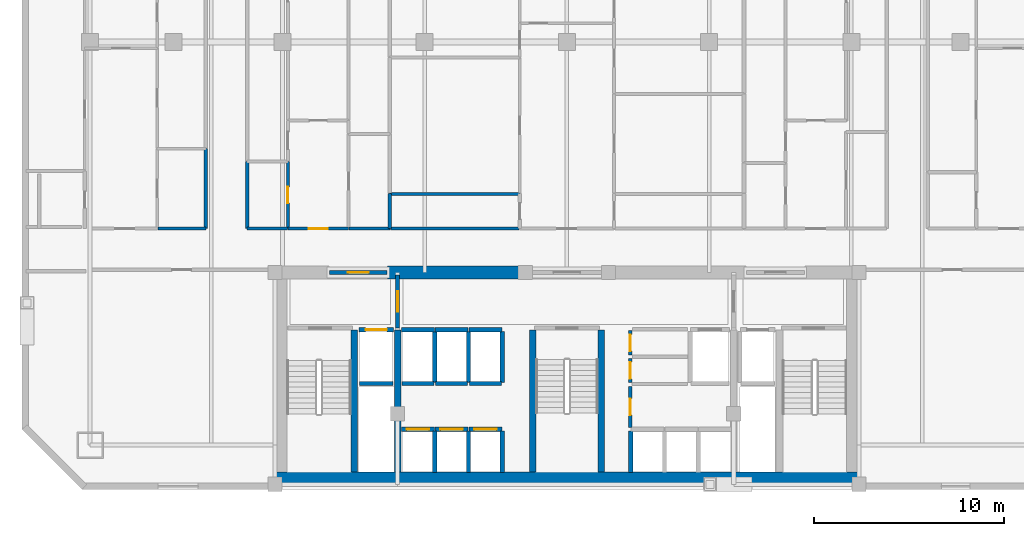
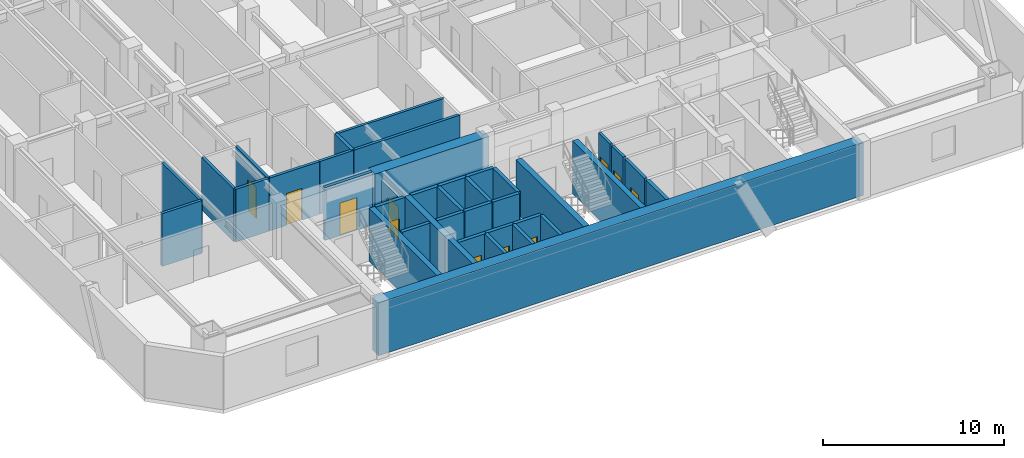
# One storey, part 3 of 10: 39 walls, 11 doors, 11 openings.
"""IFC4 building model written with IfcOpenShell, lengths in metres."""

from ifc_helpers import new_model, si_unit, direction, frame, frame_2d, origin, place, context, subcontext, project, spatial, rectangle, extrude, material, layer, layer_set, type_object, element, fill, save


model = new_model("IFC4")

# Units and contexts
model_context = context("Model", 3, precision=1e-05, world=origin(), true_north=direction((0.0, 1.0)))
body_context = subcontext(model_context, "Body", "Model", "MODEL_VIEW")
ifc_project = project(units=[si_unit("LENGTHUNIT", "METRE"), si_unit("AREAUNIT", "SQUARE_METRE"), si_unit("VOLUMEUNIT", "CUBIC_METRE"), si_unit("PLANEANGLEUNIT", "RADIAN"), si_unit("MASSUNIT", "GRAM", prefix="KILO")], contexts=[model_context])

# Site, building, storey
site_placement = place(None, origin())
site = spatial("IfcSite", under=ifc_project, at=site_placement, CompositionType="ELEMENT")
building_placement = place(site_placement, origin())
building = spatial("IfcBuilding", under=site, at=building_placement, Name="Ventersveld Concourse Tower", CompositionType="ELEMENT")
storey_placement = place(building_placement, frame((0.0, 0.0, 72.14990234375)))
storey = spatial("IfcBuildingStorey", under=building, at=storey_placement, Name="L17", CompositionType="ELEMENT", Elevation=72.14990234375)

# Walls
ifc_material_1 = material(Name="Concrete C60/75", Category="concrete")
ifc_layer_1 = layer(ifc_material_1, 0.35009765625)
ifc_layer_set_1 = layer_set([ifc_layer_1], Name="Concrete C60/75")
wall_type_1 = type_object("IfcWallType", Name="WL-CORE-350L", PredefinedType="SHEAR", material=ifc_layer_set_1)
for number, where, z_axis, x_axis, name in (
    (1, (17.5400390625, 0.919921875, 0.0), (0.0, 0.0, 1.0), (0.0, 1.0, 0.0), "L17 Core Internal Shear Web W-ST1-E"),
    (2, (19.820068359375, 0.919921875, 0.0), (0.0, 0.0, 1.0), (0.0, 1.0, 0.0), "L17 Core Internal Shear Web W-FF1-E"),
    (3, (26.93994140625, 0.919921875, 0.0), (0.0, 0.0, 1.0), (0.0, 1.0, 0.0), "L17 Core Internal Shear Web W-ST3-W"),
    (4, (30.56005859375, 0.919921875, 0.0), (0.0, 0.0, 1.0), (0.0, 1.0, 0.0), "L17 Core Internal Shear Web W-ST3-E"),
):
    element("IfcWall", number, at=place(storey_placement, frame(where, z_axis=z_axis, x_axis=x_axis)), inside=storey, type_object=wall_type_1, Name=name, PredefinedType="SHEAR", context=body_context, shape_type="SweptSolid", body=[
        extrude(rectangle(XDim=7.5, YDim=0.35009765625, at=frame_2d((3.75, 0.0))), origin(), (0.0, 0.0, 1.0), 3.570068359375),
    ])
ifc_layer_2 = layer(ifc_material_1, 0.699951171875)
ifc_layer_set_2 = layer_set([ifc_layer_2], Name="Concrete C60/75")
wall_type_2 = type_object("IfcWallType", Name="WL-CORE-700", PredefinedType="SHEAR", material=ifc_layer_set_2)
wall_1_placement = place(storey_placement, frame((13.25, 0.570068359375, 0.0), z_axis=(0.0, 0.0, 1.0), x_axis=(1.0, 0.0, 0.0)))
element("IfcWall", 5, at=wall_1_placement, inside=storey, type_object=wall_type_2, Name="L17 Rear Core South Shear Wall", PredefinedType="SHEAR", context=body_context, shape_type="SweptSolid", body=[
    extrude(rectangle(XDim=31.0, YDim=0.699951171875, at=frame_2d((15.5, 0.0))), origin(), (0.0, 0.0, 1.0), 3.570068359375),
])
wall_2_placement = place(storey_placement, frame((19.300048828125, 11.449951171875, 0.0), z_axis=(0.0, 0.0, 1.0), x_axis=(1.0, 0.0, 0.0)))
element("IfcWall", 6, at=wall_2_placement, inside=storey, type_object=wall_type_2, Name="L17 Rear Core North Shear Wall NML", PredefinedType="SHEAR", context=body_context, shape_type="SweptSolid", body=[
    extrude(rectangle(XDim=7.300048828125, YDim=0.699951171875, at=frame_2d((3.64990234375, 0.0))), origin(), (0.0, 0.0, 1.0), 3.570068359375),
])

# Wall, opening, door
ifc_material_2 = material(Name="Fire-rated autoclaved aerated masonry blockwork", Category="masonry")
ifc_layer_3 = layer(ifc_material_2, 0.179931640625)
ifc_layer_set_3 = layer_set([ifc_layer_3], Name="Fire-rated autoclaved aerated masonry blockwork")
wall_type_3 = type_object("IfcWallType", Name="WL-CORR-180", PredefinedType="PARTITIONING", material=ifc_layer_set_3)
wall_3_placement = place(storey_placement, frame((32.10009765625, 5.64990234375, 0.0), z_axis=(0.0, 0.0, 1.0), x_axis=(0.0, 1.0, 0.0)))
wall_3 = element("IfcWall", 7, at=wall_3_placement, inside=storey, type_object=wall_type_3, Name="L17 Core Passage Wall SP-L17-CBAY1S", PredefinedType="PARTITIONING", context=body_context, shape_type="SweptSolid", body=[
    extrude(rectangle(XDim=1.27001953125, YDim=0.179931640625, at=frame_2d((0.635009765625, 0.0))), origin(), (0.0, 0.0, 1.0), 3.570068359375),
])
opening_1_placement = place(wall_3_placement, frame((0.195068359375, 0.0, 0.0)))
opening_1 = element("IfcOpeningElement", 8, at=opening_1_placement, cuts=wall_3, Name="Opening FD5", PredefinedType="OPENING", context=body_context, shape_type="SweptSolid", body=[
    extrude(rectangle(XDim=0.8798828125, YDim=2.050048828125, at=frame_2d((0.43994140625, 1.02490234375))), frame((0.0, 0.10009765625, 0.0), z_axis=(0.0, -1.0, 0.0), x_axis=(1.0, 0.0, 0.0)), (0.0, 0.0, 1.0), 0.199951171875),
])
ifc_material_3 = material(Name="Galvanised painted steel", Category="steel")
door_type_1 = type_object("IfcDoorType", Name="DR-RISER-088", OperationType="NOTDEFINED", PredefinedType="DOOR", material=ifc_material_3)
door_1_placement = place(opening_1_placement, origin())
door_1 = element("IfcDoor", 9, at=door_1_placement, inside=storey, type_object=door_type_1, Name="L17 Core Room Door L17 Core Cleaner Store (CD-L17-0775)", OperationType="SINGLE_SWING_RIGHT", OverallHeight=2.050048828125, OverallWidth=0.8798828125, PredefinedType="DOOR", context=body_context, shape_type="SweptSolid", body=[
    extrude(rectangle(XDim=0.8798828125, YDim=2.050048828125, at=frame_2d((0.43994140625, 1.02490234375))), frame((0.0, 0.02490234375, 0.0), z_axis=(0.0, -1.0, 0.0), x_axis=(1.0, 0.0, 0.0)), (0.0, 0.0, 1.0), 0.050048828125),
])
fill(opening_1, door_1)

wall_4_placement = place(storey_placement, frame((32.10009765625, 7.10009765625, 0.0), z_axis=(0.0, 0.0, 1.0), x_axis=(0.0, 1.0, 0.0)))
wall_4 = element("IfcWall", 10, at=wall_4_placement, inside=storey, type_object=wall_type_3, Name="L17 Core Passage Wall SP-L17-CBAY1N", PredefinedType="PARTITIONING", context=body_context, shape_type="SweptSolid", body=[
    extrude(rectangle(XDim=1.27978515625, YDim=0.179931640625, at=frame_2d((0.639892578125, 0.0))), origin(), (0.0, 0.0, 1.0), 3.570068359375),
])
opening_2_placement = place(wall_4_placement, frame((0.199951171875, 0.0, 0.0)))
opening_2 = element("IfcOpeningElement", 11, at=opening_2_placement, cuts=wall_4, Name="Opening FD5", PredefinedType="OPENING", context=body_context, shape_type="SweptSolid", body=[
    extrude(rectangle(XDim=0.8798828125, YDim=2.050048828125, at=frame_2d((0.43994140625, 1.02490234375))), frame((0.0, 0.10009765625, 0.0), z_axis=(0.0, -1.0, 0.0), x_axis=(1.0, 0.0, 0.0)), (0.0, 0.0, 1.0), 0.199951171875),
])
door_2_placement = place(opening_2_placement, origin())
door_2 = element("IfcDoor", 12, at=door_2_placement, inside=storey, type_object=door_type_1, Name="L17 Core Room Door L17 Core Concierge Desk Room (CD-L17-0776)", OperationType="SINGLE_SWING_LEFT", OverallHeight=2.050048828125, OverallWidth=0.8798828125, PredefinedType="DOOR", context=body_context, shape_type="SweptSolid", body=[
    extrude(rectangle(XDim=0.8798828125, YDim=2.050048828125, at=frame_2d((0.43994140625, 1.02490234375))), frame((0.0, 0.02490234375, 0.0), z_axis=(0.0, -1.0, 0.0), x_axis=(1.0, 0.0, 0.0)), (0.0, 0.0, 1.0), 0.050048828125),
])
fill(opening_2, door_2)

wall_5_placement = place(storey_placement, frame((32.10009765625, 3.280029296875, 0.0), z_axis=(0.0, 0.0, 1.0), x_axis=(0.0, 1.0, 0.0)))
wall_5 = element("IfcWall", 13, at=wall_5_placement, inside=storey, type_object=wall_type_3, Name="L17 Core Passage Wall SP-L17-CBAY2", PredefinedType="PARTITIONING", context=body_context, shape_type="SweptSolid", body=[
    extrude(rectangle(XDim=2.169921875, YDim=0.179931640625, at=frame_2d((1.0849609375, 0.0))), origin(), (0.0, 0.0, 1.0), 3.570068359375),
])
opening_3_placement = place(wall_5_placement, frame((0.64501953125, 0.0, 0.0)))
opening_3 = element("IfcOpeningElement", 14, at=opening_3_placement, cuts=wall_5, Name="Opening FD5", PredefinedType="OPENING", context=body_context, shape_type="SweptSolid", body=[
    extrude(rectangle(XDim=0.8798828125, YDim=2.050048828125, at=frame_2d((0.43994140625, 1.02490234375))), frame((0.0, 0.10009765625, 0.0), z_axis=(0.0, -1.0, 0.0), x_axis=(1.0, 0.0, 0.0)), (0.0, 0.0, 1.0), 0.199951171875),
])
door_3_placement = place(opening_3_placement, origin())
door_3 = element("IfcDoor", 15, at=door_3_placement, inside=storey, type_object=door_type_1, Name="L17 Core Room Door L17 Core Linen Alcove Store (CD-L17-0777)", OperationType="SINGLE_SWING_RIGHT", OverallHeight=2.050048828125, OverallWidth=0.8798828125, PredefinedType="DOOR", context=body_context, shape_type="SweptSolid", body=[
    extrude(rectangle(XDim=0.8798828125, YDim=2.050048828125, at=frame_2d((0.43994140625, 1.02490234375))), frame((0.0, 0.02490234375, 0.0), z_axis=(0.0, -1.0, 0.0), x_axis=(1.0, 0.0, 0.0)), (0.0, 0.0, 1.0), 0.050048828125),
])
fill(opening_3, door_3)

# Walls
wall_6_placement = place(storey_placement, frame((9.7099609375, 13.764892578125, 0.0), z_axis=(0.0, 0.0, 1.0), x_axis=(0.0, 1.0, 0.0)))
element("IfcWall", 16, at=wall_6_placement, inside=storey, type_object=wall_type_3, Name="L17 Interior Partition SP-L17-COR-SP-L17-17NW-KIT", PredefinedType="PARTITIONING", context=body_context, shape_type="SweptSolid", body=[
    extrude(rectangle(XDim=4.21484375, YDim=0.179931640625, at=frame_2d((2.107421875, 0.0))), origin(), (0.0, 0.0, 1.0), 3.570068359375),
])
wall_7_placement = place(storey_placement, frame((7.1796875, 13.77001953125, 0.0), z_axis=(0.0, 0.0, 1.0), x_axis=(1.0, 0.0, 0.0)))
element("IfcWall", 17, at=wall_7_placement, inside=storey, type_object=wall_type_3, Name="L17 Interior Partition SP-L17-COR-SP-L17-17NW-KIT", PredefinedType="PARTITIONING", context=body_context, shape_type="SweptSolid", body=[
    extrude(rectangle(XDim=2.535400390625, YDim=0.179931640625, at=frame_2d((1.267578125, 0.0))), origin(), (0.0, 0.0, 1.0), 3.570068359375),
])

# Wall, opening, door
wall_8_placement = place(storey_placement, frame((14.031494140625, 13.77001953125, 0.0), z_axis=(0.0, 0.0, 1.0), x_axis=(1.0, 0.0, 0.0)))
wall_8 = element("IfcWall", 18, at=wall_8_placement, inside=storey, type_object=wall_type_3, Name="L17 Interior Partition SP-L17-COR-SP-L17-17CW-FOY", PredefinedType="PARTITIONING", context=body_context, shape_type="SweptSolid", body=[
    extrude(rectangle(XDim=3.206298828125, YDim=0.179931640625, at=frame_2d((1.60302734375, 0.0))), origin(), (0.0, 0.0, 1.0), 3.570068359375),
])
opening_4_placement = place(wall_8_placement, frame((1.103271484375, 0.0, 0.0)))
opening_4 = element("IfcOpeningElement", 19, at=opening_4_placement, cuts=wall_8, Name="Opening FD3", PredefinedType="OPENING", context=body_context, shape_type="SweptSolid", body=[
    extrude(rectangle(XDim=1.0, YDim=2.14990234375, at=frame_2d((0.5, 1.074951171875))), frame((0.0, 0.10009765625, 0.0), z_axis=(0.0, -1.0, 0.0), x_axis=(1.0, 0.0, 0.0)), (0.0, 0.0, 1.0), 0.199951171875),
])
ifc_material_4 = material(Name="Solid-core hardwood veneer timber", Category="wood")
door_type_2 = type_object("IfcDoorType", Name="DR-FLAT-100", OperationType="NOTDEFINED", PredefinedType="DOOR", material=ifc_material_4)
door_4_placement = place(opening_4_placement, origin())
door_4 = element("IfcDoor", 20, at=door_4_placement, inside=storey, type_object=door_type_2, Name="L17 Interior Door SP-L17-COR to SP-L17-17CW-FOY (FD-L17-0782)", OperationType="SINGLE_SWING_RIGHT", OverallHeight=2.14990234375, OverallWidth=1.0, PredefinedType="DOOR", context=body_context, shape_type="SweptSolid", body=[
    extrude(rectangle(XDim=1.0, YDim=2.14990234375, at=frame_2d((0.5, 1.074951171875))), frame((0.0, 0.02490234375, 0.0), z_axis=(0.0, -1.0, 0.0), x_axis=(1.0, 0.0, 0.0)), (0.0, 0.0, 1.0), 0.050048828125),
])
fill(opening_4, door_4)

# Walls
wall_9_placement = place(storey_placement, frame((11.889892578125, 13.764892578125, 0.0), z_axis=(0.0, 0.0, 1.0), x_axis=(0.0, 1.0, 0.0)))
element("IfcWall", 21, at=wall_9_placement, inside=storey, type_object=wall_type_3, Name="L17 Interior Partition SP-L17-COR-SP-L17-17CW-BATH", PredefinedType="PARTITIONING", context=body_context, shape_type="SweptSolid", body=[
    extrude(rectangle(XDim=3.54638671875, YDim=0.179931640625, at=frame_2d((1.773193359375, 0.0))), origin(), (0.0, 0.0, 1.0), 3.570068359375),
])
wall_10_placement = place(storey_placement, frame((11.885009765625, 13.77001953125, 0.0), z_axis=(0.0, 0.0, 1.0), x_axis=(1.0, 0.0, 0.0)))
element("IfcWall", 22, at=wall_10_placement, inside=storey, type_object=wall_type_3, Name="L17 Interior Partition SP-L17-COR-SP-L17-17CW-BATH", PredefinedType="PARTITIONING", context=body_context, shape_type="SweptSolid", body=[
    extrude(rectangle(XDim=2.116455078125, YDim=0.179931640625, at=frame_2d((1.05810546875, 0.0))), origin(), (0.0, 0.0, 1.0), 3.570068359375),
])
wall_11_placement = place(storey_placement, frame((17.267822265625, 13.77001953125, 0.0), z_axis=(0.0, 0.0, 1.0), x_axis=(1.0, 0.0, 0.0)))
element("IfcWall", 23, at=wall_11_placement, inside=storey, type_object=wall_type_3, Name="L17 Interior Partition SP-L17-COR-SP-L17-17CW-KIT", PredefinedType="PARTITIONING", context=body_context, shape_type="SweptSolid", body=[
    extrude(rectangle(XDim=2.147216796875, YDim=0.179931640625, at=frame_2d((1.07373046875, 0.0))), origin(), (0.0, 0.0, 1.0), 3.570068359375),
])
wall_12_placement = place(storey_placement, frame((19.445068359375, 13.77001953125, 0.0), z_axis=(0.0, 0.0, 1.0), x_axis=(1.0, 0.0, 0.0)))
element("IfcWall", 24, at=wall_12_placement, inside=storey, type_object=wall_type_3, Name="L17 Interior Partition SP-L17-COR-SP-L17-17CM-BATH", PredefinedType="PARTITIONING", context=body_context, shape_type="SweptSolid", body=[
    extrude(rectangle(XDim=6.780029296875, YDim=0.179931640625, at=frame_2d((3.39013671875, 0.0))), origin(), (0.0, 0.0, 1.0), 3.570068359375),
])
ifc_layer_4 = layer(ifc_material_2, 0.199951171875)
ifc_layer_set_4 = layer_set([ifc_layer_4], Name="Fire-rated autoclaved aerated masonry blockwork")
wall_type_4 = type_object("IfcWallType", Name="WL-DEMISE-200", PredefinedType="PARTITIONING", material=ifc_layer_set_4)
wall_13_placement = place(storey_placement, frame((19.409912109375, 13.764892578125, 0.0), z_axis=(0.0, 0.0, 1.0), x_axis=(0.0, 1.0, 0.0)))
element("IfcWall", 25, at=wall_13_placement, inside=storey, type_object=wall_type_4, Name="L17 Interior Partition SP-L17-17CW-KIT-SP-L17-17CM-BATH", PredefinedType="PARTITIONING", context=body_context, shape_type="SweptSolid", body=[
    extrude(rectangle(XDim=1.840087890625, YDim=0.199951171875, at=frame_2d((0.919921875, 0.0))), origin(), (0.0, 0.0, 1.0), 3.570068359375),
])
ifc_layer_5 = layer(ifc_material_2, 0.219970703125)
ifc_layer_set_5 = layer_set([ifc_layer_5], Name="Fire-rated autoclaved aerated masonry blockwork")
wall_type_5 = type_object("IfcWallType", Name="WL-HOIST-220", PredefinedType="SOLIDWALL", material=ifc_layer_set_5)
wall_14_placement = place(storey_placement, frame((17.800048828125, 5.590087890625, 0.0), z_axis=(0.0, 0.0, 1.0), x_axis=(1.0, 0.0, 0.0)))
element("IfcWall", 26, at=wall_14_placement, inside=storey, type_object=wall_type_5, Name="L17 Lift Hoistway Back Wall FFL-01", PredefinedType="SOLIDWALL", context=body_context, shape_type="SweptSolid", body=[
    extrude(rectangle(XDim=1.780029296875, YDim=0.219970703125, at=frame_2d((0.89013671875, 0.0))), origin(), (0.0, 0.0, 1.0), 3.570068359375),
])

# Wall, opening, door
wall_15_placement = place(storey_placement, frame((17.780029296875, 8.429931640625, 0.0), z_axis=(0.0, 0.0, 1.0), x_axis=(1.0, 0.0, 0.0)))
wall_15 = element("IfcWall", 27, at=wall_15_placement, inside=storey, type_object=wall_type_5, Name="L17 Lift Hoistway Front Wall FFL-01", PredefinedType="SOLIDWALL", context=body_context, shape_type="SweptSolid", body=[
    extrude(rectangle(XDim=1.820068359375, YDim=0.219970703125, at=frame_2d((0.91015625, 0.0))), origin(), (0.0, 0.0, 1.0), 3.570068359375),
])
opening_5_placement = place(wall_15_placement, frame((0.35009765625, 0.0, 0.0)))
opening_5 = element("IfcOpeningElement", 28, at=opening_5_placement, cuts=wall_15, Name="Opening LD1", PredefinedType="OPENING", context=body_context, shape_type="SweptSolid", body=[
    extrude(rectangle(XDim=1.1201171875, YDim=2.25, at=frame_2d((0.56005859375, 1.125))), frame((0.0, 0.1201171875, 0.0), z_axis=(0.0, -1.0, 0.0), x_axis=(1.0, 0.0, 0.0)), (0.0, 0.0, 1.0), 0.239990234375),
])
ifc_material_5 = material(Name="Brushed stainless steel 316", Category="steel")
door_type_3 = type_object("IfcDoorType", Name="LD-FF-112", OperationType="SLIDING_TO_LEFT", PredefinedType="DOOR", material=ifc_material_5)
door_5_placement = place(opening_5_placement, origin())
door_5 = element("IfcDoor", 29, at=door_5_placement, inside=storey, type_object=door_type_3, Name="L17 Lift landing door FFL-01 (LD-L17-FFL-01)", OperationType="SLIDING_TO_LEFT", OverallHeight=2.25, OverallWidth=1.1201171875, PredefinedType="DOOR", context=body_context, shape_type="SweptSolid", body=[
    extrude(rectangle(XDim=1.1201171875, YDim=2.25, at=frame_2d((0.56005859375, 1.125))), frame((0.0, 0.02490234375, 0.0), z_axis=(0.0, -1.0, 0.0), x_axis=(1.0, 0.0, 0.0)), (0.0, 0.0, 1.0), 0.050048828125),
])
fill(opening_5, door_5)

# Wall
wall_16_placement = place(storey_placement, frame((21.780029296875, 0.89990234375, 0.0), z_axis=(0.0, 0.0, 1.0), x_axis=(0.0, 1.0, 0.0)))
element("IfcWall", 30, at=wall_16_placement, inside=storey, type_object=wall_type_5, Name="L17 Lift Hoistway Side Wall PL-01E", PredefinedType="SOLIDWALL", context=body_context, shape_type="SweptSolid", body=[
    extrude(rectangle(XDim=2.2001953125, YDim=0.219970703125, at=frame_2d((1.10009765625, 0.0))), origin(), (0.0, 0.0, 1.0), 3.570068359375),
])

# Wall, opening, door
wall_17_placement = place(storey_placement, frame((20.02001953125, 3.179931640625, 0.0), z_axis=(0.0, 0.0, 1.0), x_axis=(1.0, 0.0, 0.0)))
wall_17 = element("IfcWall", 31, at=wall_17_placement, inside=storey, type_object=wall_type_5, Name="L17 Lift Hoistway Front Wall PL-01", PredefinedType="SOLIDWALL", context=body_context, shape_type="SweptSolid", body=[
    extrude(rectangle(XDim=1.739990234375, YDim=0.219970703125, at=frame_2d((0.8701171875, 0.0))), origin(), (0.0, 0.0, 1.0), 3.570068359375),
])
opening_6_placement = place(wall_17_placement, frame((0.280029296875, 0.0, 0.0)))
opening_6 = element("IfcOpeningElement", 32, at=opening_6_placement, cuts=wall_17, Name="Opening LD2", PredefinedType="OPENING", context=body_context, shape_type="SweptSolid", body=[
    extrude(rectangle(XDim=1.179931640625, YDim=2.199951171875, at=frame_2d((0.58984375, 1.10009765625))), frame((0.0, 0.1201171875, 0.0), z_axis=(0.0, -1.0, 0.0), x_axis=(1.0, 0.0, 0.0)), (0.0, 0.0, 1.0), 0.239990234375),
])
door_type_4 = type_object("IfcDoorType", Name="LD-PAX-118", OperationType="SLIDING_TO_LEFT", PredefinedType="DOOR", material=ifc_material_5)
door_6_placement = place(opening_6_placement, origin())
door_6 = element("IfcDoor", 33, at=door_6_placement, inside=storey, type_object=door_type_4, Name="L17 Lift landing door PL-01 (LD-L17-PL-01)", OperationType="SLIDING_TO_RIGHT", OverallHeight=2.199951171875, OverallWidth=1.179931640625, PredefinedType="DOOR", context=body_context, shape_type="SweptSolid", body=[
    extrude(rectangle(XDim=1.179931640625, YDim=2.199951171875, at=frame_2d((0.58984375, 1.10009765625))), frame((0.0, 0.02490234375, 0.0), z_axis=(0.0, -1.0, 0.0), x_axis=(1.0, 0.0, 0.0)), (0.0, 0.0, 1.0), 0.050048828125),
])
fill(opening_6, door_6)

# Wall
wall_18_placement = place(storey_placement, frame((23.56005859375, 0.89990234375, 0.0), z_axis=(0.0, 0.0, 1.0), x_axis=(0.0, 1.0, 0.0)))
element("IfcWall", 34, at=wall_18_placement, inside=storey, type_object=wall_type_5, Name="L17 Lift Hoistway Side Wall PL-02E", PredefinedType="SOLIDWALL", context=body_context, shape_type="SweptSolid", body=[
    extrude(rectangle(XDim=2.2001953125, YDim=0.219970703125, at=frame_2d((1.10009765625, 0.0))), origin(), (0.0, 0.0, 1.0), 3.570068359375),
])

# Wall, opening, door
wall_19_placement = place(storey_placement, frame((21.800048828125, 3.179931640625, 0.0), z_axis=(0.0, 0.0, 1.0), x_axis=(1.0, 0.0, 0.0)))
wall_19 = element("IfcWall", 35, at=wall_19_placement, inside=storey, type_object=wall_type_5, Name="L17 Lift Hoistway Front Wall PL-02", PredefinedType="SOLIDWALL", context=body_context, shape_type="SweptSolid", body=[
    extrude(rectangle(XDim=1.739990234375, YDim=0.219970703125, at=frame_2d((0.8701171875, 0.0))), origin(), (0.0, 0.0, 1.0), 3.570068359375),
])
opening_7_placement = place(wall_19_placement, frame((0.280029296875, 0.0, 0.0)))
opening_7 = element("IfcOpeningElement", 36, at=opening_7_placement, cuts=wall_19, Name="Opening LD2", PredefinedType="OPENING", context=body_context, shape_type="SweptSolid", body=[
    extrude(rectangle(XDim=1.179931640625, YDim=2.199951171875, at=frame_2d((0.58984375, 1.10009765625))), frame((0.0, 0.1201171875, 0.0), z_axis=(0.0, -1.0, 0.0), x_axis=(1.0, 0.0, 0.0)), (0.0, 0.0, 1.0), 0.239990234375),
])
door_7_placement = place(opening_7_placement, origin())
door_7 = element("IfcDoor", 37, at=door_7_placement, inside=storey, type_object=door_type_4, Name="L17 Lift landing door PL-02 (LD-L17-PL-02)", OperationType="SLIDING_TO_LEFT", OverallHeight=2.199951171875, OverallWidth=1.179931640625, PredefinedType="DOOR", context=body_context, shape_type="SweptSolid", body=[
    extrude(rectangle(XDim=1.179931640625, YDim=2.199951171875, at=frame_2d((0.58984375, 1.10009765625))), frame((0.0, 0.02490234375, 0.0), z_axis=(0.0, -1.0, 0.0), x_axis=(1.0, 0.0, 0.0)), (0.0, 0.0, 1.0), 0.050048828125),
])
fill(opening_7, door_7)

# Wall
wall_20_placement = place(storey_placement, frame((25.340087890625, 0.89990234375, 0.0), z_axis=(0.0, 0.0, 1.0), x_axis=(0.0, 1.0, 0.0)))
element("IfcWall", 38, at=wall_20_placement, inside=storey, type_object=wall_type_5, Name="L17 Lift Hoistway Side Wall PL-03E", PredefinedType="SOLIDWALL", context=body_context, shape_type="SweptSolid", body=[
    extrude(rectangle(XDim=2.2001953125, YDim=0.219970703125, at=frame_2d((1.10009765625, 0.0))), origin(), (0.0, 0.0, 1.0), 3.570068359375),
])

# Wall, opening, door
wall_21_placement = place(storey_placement, frame((23.580078125, 3.179931640625, 0.0), z_axis=(0.0, 0.0, 1.0), x_axis=(1.0, 0.0, 0.0)))
wall_21 = element("IfcWall", 39, at=wall_21_placement, inside=storey, type_object=wall_type_5, Name="L17 Lift Hoistway Front Wall PL-03", PredefinedType="SOLIDWALL", context=body_context, shape_type="SweptSolid", body=[
    extrude(rectangle(XDim=1.739990234375, YDim=0.219970703125, at=frame_2d((0.8701171875, 0.0))), origin(), (0.0, 0.0, 1.0), 3.570068359375),
])
opening_8_placement = place(wall_21_placement, frame((0.280029296875, 0.0, 0.0)))
opening_8 = element("IfcOpeningElement", 40, at=opening_8_placement, cuts=wall_21, Name="Opening LD2", PredefinedType="OPENING", context=body_context, shape_type="SweptSolid", body=[
    extrude(rectangle(XDim=1.179931640625, YDim=2.199951171875, at=frame_2d((0.58984375, 1.10009765625))), frame((0.0, 0.1201171875, 0.0), z_axis=(0.0, -1.0, 0.0), x_axis=(1.0, 0.0, 0.0)), (0.0, 0.0, 1.0), 0.239990234375),
])
door_8_placement = place(opening_8_placement, origin())
door_8 = element("IfcDoor", 41, at=door_8_placement, inside=storey, type_object=door_type_4, Name="L17 Lift landing door PL-03 (LD-L17-PL-03)", OperationType="SLIDING_TO_RIGHT", OverallHeight=2.199951171875, OverallWidth=1.179931640625, PredefinedType="DOOR", context=body_context, shape_type="SweptSolid", body=[
    extrude(rectangle(XDim=1.179931640625, YDim=2.199951171875, at=frame_2d((0.58984375, 1.10009765625))), frame((0.0, 0.02490234375, 0.0), z_axis=(0.0, -1.0, 0.0), x_axis=(1.0, 0.0, 0.0)), (0.0, 0.0, 1.0), 0.050048828125),
])
fill(opening_8, door_8)

# Walls
wall_22_placement = place(storey_placement, frame((32.1201171875, 0.89990234375, 0.0), z_axis=(0.0, 0.0, 1.0), x_axis=(0.0, 1.0, 0.0)))
element("IfcWall", 42, at=wall_22_placement, inside=storey, type_object=wall_type_5, Name="L17 Lift Hoistway Side Wall PM-01W", PredefinedType="SOLIDWALL", context=body_context, shape_type="SweptSolid", body=[
    extrude(rectangle(XDim=2.2001953125, YDim=0.219970703125, at=frame_2d((1.10009765625, 0.0))), origin(), (0.0, 0.0, 1.0), 3.570068359375),
])
wall_23_placement = place(storey_placement, frame((20.0400390625, 5.590087890625, 0.0), z_axis=(0.0, 0.0, 1.0), x_axis=(1.0, 0.0, 0.0)))
element("IfcWall", 43, at=wall_23_placement, inside=storey, type_object=wall_type_5, Name="L17 Lift Hoistway Back Wall PH-01", PredefinedType="SOLIDWALL", context=body_context, shape_type="SweptSolid", body=[
    extrude(rectangle(XDim=1.699951171875, YDim=0.219970703125, at=frame_2d((0.85009765625, 0.0))), origin(), (0.0, 0.0, 1.0), 3.570068359375),
])
wall_24_placement = place(storey_placement, frame((21.780029296875, 5.64990234375, 0.0), z_axis=(0.0, 0.0, 1.0), x_axis=(0.0, 1.0, 0.0)))
element("IfcWall", 44, at=wall_24_placement, inside=storey, type_object=wall_type_5, Name="L17 Lift Hoistway Side Wall PH-01E", PredefinedType="SOLIDWALL", context=body_context, shape_type="SweptSolid", body=[
    extrude(rectangle(XDim=2.7001953125, YDim=0.219970703125, at=frame_2d((1.35009765625, 0.0))), origin(), (0.0, 0.0, 1.0), 3.570068359375),
])
wall_25_placement = place(storey_placement, frame((20.02001953125, 8.429931640625, 0.0), z_axis=(0.0, 0.0, 1.0), x_axis=(1.0, 0.0, 0.0)))
element("IfcWall", 45, at=wall_25_placement, inside=storey, type_object=wall_type_5, Name="L17 Lift Hoistway Front Wall PH-01", PredefinedType="SOLIDWALL", context=body_context, shape_type="SweptSolid", body=[
    extrude(rectangle(XDim=1.739990234375, YDim=0.219970703125, at=frame_2d((0.8701171875, 0.0))), origin(), (0.0, 0.0, 1.0), 3.570068359375),
])
wall_26_placement = place(storey_placement, frame((21.820068359375, 5.590087890625, 0.0), z_axis=(0.0, 0.0, 1.0), x_axis=(1.0, 0.0, 0.0)))
element("IfcWall", 46, at=wall_26_placement, inside=storey, type_object=wall_type_5, Name="L17 Lift Hoistway Back Wall PH-02", PredefinedType="SOLIDWALL", context=body_context, shape_type="SweptSolid", body=[
    extrude(rectangle(XDim=1.699951171875, YDim=0.219970703125, at=frame_2d((0.85009765625, 0.0))), origin(), (0.0, 0.0, 1.0), 3.570068359375),
])
wall_27_placement = place(storey_placement, frame((23.56005859375, 5.64990234375, 0.0), z_axis=(0.0, 0.0, 1.0), x_axis=(0.0, 1.0, 0.0)))
element("IfcWall", 47, at=wall_27_placement, inside=storey, type_object=wall_type_5, Name="L17 Lift Hoistway Side Wall PH-02E", PredefinedType="SOLIDWALL", context=body_context, shape_type="SweptSolid", body=[
    extrude(rectangle(XDim=2.7001953125, YDim=0.219970703125, at=frame_2d((1.35009765625, 0.0))), origin(), (0.0, 0.0, 1.0), 3.570068359375),
])
wall_28_placement = place(storey_placement, frame((21.800048828125, 8.429931640625, 0.0), z_axis=(0.0, 0.0, 1.0), x_axis=(1.0, 0.0, 0.0)))
element("IfcWall", 48, at=wall_28_placement, inside=storey, type_object=wall_type_5, Name="L17 Lift Hoistway Front Wall PH-02", PredefinedType="SOLIDWALL", context=body_context, shape_type="SweptSolid", body=[
    extrude(rectangle(XDim=1.739990234375, YDim=0.219970703125, at=frame_2d((0.8701171875, 0.0))), origin(), (0.0, 0.0, 1.0), 3.570068359375),
])
wall_29_placement = place(storey_placement, frame((23.60009765625, 5.590087890625, 0.0), z_axis=(0.0, 0.0, 1.0), x_axis=(1.0, 0.0, 0.0)))
element("IfcWall", 49, at=wall_29_placement, inside=storey, type_object=wall_type_5, Name="L17 Lift Hoistway Back Wall PH-03", PredefinedType="SOLIDWALL", context=body_context, shape_type="SweptSolid", body=[
    extrude(rectangle(XDim=1.699951171875, YDim=0.219970703125, at=frame_2d((0.85009765625, 0.0))), origin(), (0.0, 0.0, 1.0), 3.570068359375),
])
wall_30_placement = place(storey_placement, frame((25.340087890625, 5.64990234375, 0.0), z_axis=(0.0, 0.0, 1.0), x_axis=(0.0, 1.0, 0.0)))
element("IfcWall", 50, at=wall_30_placement, inside=storey, type_object=wall_type_5, Name="L17 Lift Hoistway Side Wall PH-03E", PredefinedType="SOLIDWALL", context=body_context, shape_type="SweptSolid", body=[
    extrude(rectangle(XDim=2.7001953125, YDim=0.219970703125, at=frame_2d((1.35009765625, 0.0))), origin(), (0.0, 0.0, 1.0), 3.570068359375),
])
wall_31_placement = place(storey_placement, frame((23.580078125, 8.429931640625, 0.0), z_axis=(0.0, 0.0, 1.0), x_axis=(1.0, 0.0, 0.0)))
element("IfcWall", 51, at=wall_31_placement, inside=storey, type_object=wall_type_5, Name="L17 Lift Hoistway Front Wall PH-03", PredefinedType="SOLIDWALL", context=body_context, shape_type="SweptSolid", body=[
    extrude(rectangle(XDim=1.739990234375, YDim=0.219970703125, at=frame_2d((0.8701171875, 0.0))), origin(), (0.0, 0.0, 1.0), 3.570068359375),
])

# Wall, opening, door
wall_32_placement = place(storey_placement, frame((19.820068359375, 8.52001953125, 0.0), z_axis=(0.0, 0.0, 1.0), x_axis=(0.0, 1.0, 0.0)))
wall_32 = element("IfcWall", 52, at=wall_32_placement, inside=storey, type_object=wall_type_5, Name="L17 Firefighting Lobby Smoke-Stop Wall FFLW-SEP", PredefinedType="SOLIDWALL", context=body_context, shape_type="SweptSolid", body=[
    extrude(rectangle(XDim=2.800048828125, YDim=0.219970703125, at=frame_2d((1.39990234375, 0.0))), origin(), (0.0, 0.0, 1.0), 3.025634765625),
])
opening_9_placement = place(wall_32_placement, frame((0.85009765625, 0.0, 0.0)))
opening_9 = element("IfcOpeningElement", 53, at=opening_9_placement, cuts=wall_32, Name="Opening FD2", PredefinedType="OPENING", context=body_context, shape_type="SweptSolid", body=[
    extrude(rectangle(XDim=1.10009765625, YDim=2.199951171875, at=frame_2d((0.550048828125, 1.10009765625))), frame((0.0, 0.1201171875, 0.0), z_axis=(0.0, -1.0, 0.0), x_axis=(1.0, 0.0, 0.0)), (0.0, 0.0, 1.0), 0.239990234375),
])
door_type_5 = type_object("IfcDoorType", Name="DR-FFL-110", OperationType="NOTDEFINED", PredefinedType="DOOR", material=ifc_material_3)
door_9_placement = place(opening_9_placement, origin())
door_9 = element("IfcDoor", 54, at=door_9_placement, inside=storey, type_object=door_type_5, Name="L17 Firefighting Lobby Door FFLW-SEP (FD-L17-0770)", OperationType="SINGLE_SWING_LEFT", OverallHeight=2.199951171875, OverallWidth=1.10009765625, PredefinedType="DOOR", context=body_context, shape_type="SweptSolid", body=[
    extrude(rectangle(XDim=1.10009765625, YDim=2.199951171875, at=frame_2d((0.550048828125, 1.10009765625))), frame((0.0, 0.02490234375, 0.0), z_axis=(0.0, -1.0, 0.0), x_axis=(1.0, 0.0, 0.0)), (0.0, 0.0, 1.0), 0.050048828125),
])
fill(opening_9, door_9)

wall_33_placement = place(storey_placement, frame((16.22998046875, 11.449951171875, 0.0), z_axis=(0.0, 0.0, 1.0), x_axis=(1.0, 0.0, 0.0)))
wall_33 = element("IfcWall", 55, at=wall_33_placement, inside=storey, type_object=wall_type_5, Name="L17 Core North Fire Portal FFLW-OUT", PredefinedType="SOLIDWALL", context=body_context, shape_type="SweptSolid", body=[
    extrude(rectangle(XDim=3.0400390625, YDim=0.219970703125, at=frame_2d((1.52001953125, 0.0))), origin(), (0.0, 0.0, 1.0), 3.570068359375),
])
opening_10_placement = place(wall_33_placement, frame((0.969970703125, 0.0, 0.0)))
opening_10 = element("IfcOpeningElement", 56, at=opening_10_placement, cuts=wall_33, Name="Opening FD2", PredefinedType="OPENING", context=body_context, shape_type="SweptSolid", body=[
    extrude(rectangle(XDim=1.10009765625, YDim=2.199951171875, at=frame_2d((0.550048828125, 1.10009765625))), frame((0.0, 0.1201171875, 0.0), z_axis=(0.0, -1.0, 0.0), x_axis=(1.0, 0.0, 0.0)), (0.0, 0.0, 1.0), 0.239990234375),
])
door_10_placement = place(opening_10_placement, origin())
door_10 = element("IfcDoor", 57, at=door_10_placement, inside=storey, type_object=door_type_5, Name="L17 Core Lobby Fire Door FFLW-OUT (FD-L17-0772)", OperationType="SINGLE_SWING_RIGHT", OverallHeight=2.199951171875, OverallWidth=1.10009765625, PredefinedType="DOOR", context=body_context, shape_type="SweptSolid", body=[
    extrude(rectangle(XDim=1.10009765625, YDim=2.199951171875, at=frame_2d((0.550048828125, 1.10009765625))), frame((0.0, 0.02490234375, 0.0), z_axis=(0.0, -1.0, 0.0), x_axis=(1.0, 0.0, 0.0)), (0.0, 0.0, 1.0), 0.050048828125),
])
fill(opening_10, door_10)

ifc_material_6 = material(Name="Autoclaved aerated masonry blockwork", Category="masonry")
ifc_layer_6 = layer(ifc_material_6, 0.1650390625)
ifc_layer_set_6 = layer_set([ifc_layer_6], Name="Autoclaved aerated masonry blockwork")
wall_type_6 = type_object("IfcWallType", Name="WL-WET-165", PredefinedType="PLUMBINGWALL", material=ifc_layer_set_6)
wall_34_placement = place(storey_placement, frame((14.03662109375, 13.764892578125, 0.0), z_axis=(0.0, 0.0, 1.0), x_axis=(0.0, 1.0, 0.0)))
wall_34 = element("IfcWall", 58, at=wall_34_placement, inside=storey, type_object=wall_type_6, Name="L17 Interior Partition SP-L17-17CW-FOY-SP-L17-17CW-BATH", PredefinedType="PLUMBINGWALL", context=body_context, shape_type="SweptSolid", body=[
    extrude(rectangle(XDim=3.54638671875, YDim=0.1650390625, at=frame_2d((1.773193359375, 0.0))), origin(), (0.0, 0.0, 1.0), 3.570068359375),
])
opening_11_placement = place(wall_34_placement, frame((1.34814453125, 0.0, 0.0)))
opening_11 = element("IfcOpeningElement", 59, at=opening_11_placement, cuts=wall_34, Name="Opening ID2", PredefinedType="OPENING", context=body_context, shape_type="SweptSolid", body=[
    extrude(rectangle(XDim=0.85009765625, YDim=2.10009765625, at=frame_2d((0.425048828125, 1.050048828125))), frame((0.0, 0.092529296875, 0.0), z_axis=(0.0, -1.0, 0.0), x_axis=(1.0, 0.0, 0.0)), (0.0, 0.0, 1.0), 0.18505859375),
])
door_type_6 = type_object("IfcDoorType", Name="DR-BATH-085", OperationType="NOTDEFINED", PredefinedType="DOOR", material=ifc_material_4)
door_11_placement = place(opening_11_placement, origin())
door_11 = element("IfcDoor", 60, at=door_11_placement, inside=storey, type_object=door_type_6, Name="L17 Interior Door SP-L17-17CW-FOY to SP-L17-17CW-BATH (D-L17-0805)", OperationType="SINGLE_SWING_LEFT", OverallHeight=2.10009765625, OverallWidth=0.85009765625, PredefinedType="DOOR", context=body_context, shape_type="SweptSolid", body=[
    extrude(rectangle(XDim=0.85009765625, YDim=2.10009765625, at=frame_2d((0.425048828125, 1.050048828125))), frame((0.0, 0.02490234375, 0.0), z_axis=(0.0, -1.0, 0.0), x_axis=(1.0, 0.0, 0.0)), (0.0, 0.0, 1.0), 0.050048828125),
])
fill(opening_11, door_11)

# Wall
wall_35_placement = place(storey_placement, frame((19.405029296875, 15.60009765625, 0.0), z_axis=(0.0, 0.0, 1.0), x_axis=(1.0, 0.0, 0.0)))
element("IfcWall", 61, at=wall_35_placement, inside=storey, type_object=wall_type_6, Name="L17 Interior Partition SP-L17-17CM-BATH-SP-L17-17CM-DENL", PredefinedType="PLUMBINGWALL", context=body_context, shape_type="SweptSolid", body=[
    extrude(rectangle(XDim=6.85986328125, YDim=0.1650390625, at=frame_2d((3.429931640625, 0.0))), origin(), (0.0, 0.0, 1.0), 3.570068359375),
])

save(model, "model.ifc")
